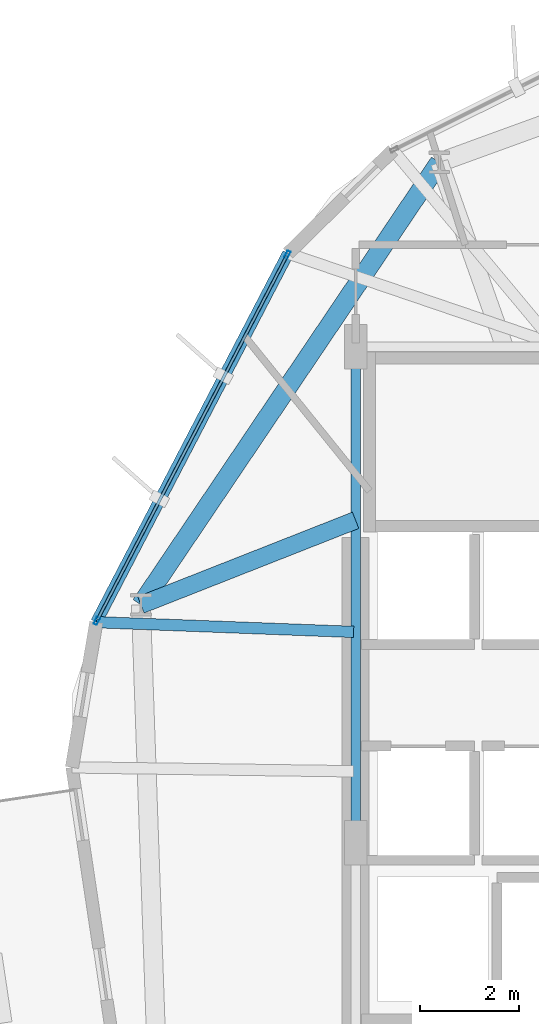
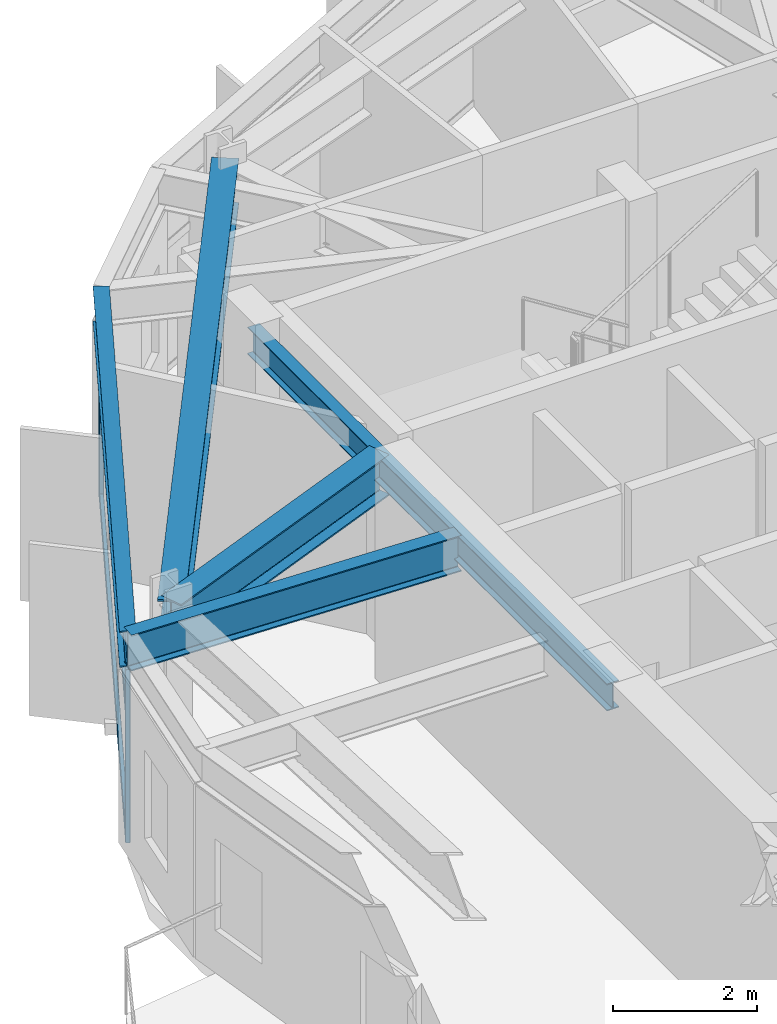
# One storey, part 7 of 22: 5 beams, 5 members, 1 element without a shape of its own.
"""IFC4 building model written with IfcOpenShell, lengths in metres."""

from ifc_helpers import new_model, si_unit, direction, frame, origin, origin_2d, place, context, subcontext, project, spatial, hollow_rectangle, i_section, extrude, material, layer, layer_set, material_profile, profile_set, type_object, element, aggregate, save


model = new_model("IFC4")

# Units and contexts
model_context = context("Model", 3, precision=1e-05, world=origin(), true_north=direction((0.0, 1.0)))
body_context = subcontext(model_context, "Body", "Model", "MODEL_VIEW")
ifc_project = project(units=[si_unit("LENGTHUNIT", "METRE"), si_unit("AREAUNIT", "SQUARE_METRE"), si_unit("VOLUMEUNIT", "CUBIC_METRE"), si_unit("PLANEANGLEUNIT", "RADIAN"), si_unit("MASSUNIT", "GRAM", prefix="KILO")], contexts=[model_context])

# Site, building, storey
site_placement = place(None, origin())
site = spatial("IfcSite", under=ifc_project, at=site_placement, CompositionType="ELEMENT")
building_placement = place(site_placement, origin())
building = spatial("IfcBuilding", under=site, at=building_placement, Name="Soratama Intermodal Tower", CompositionType="ELEMENT")
storey_placement = place(building_placement, frame((0.0, 0.0, 130.300048828125)))
storey = spatial("IfcBuildingStorey", under=building, at=storey_placement, Name="L31", CompositionType="ELEMENT", Elevation=130.300048828125)

# Beams
ifc_material_1 = material(Name="Structural steel ASTM A992 Grade 50", Category="steel")
ifc_material_profile_1 = material_profile(ifc_material_1, i_section(OverallWidth=0.19091796875, OverallDepth=0.4599609375, WebThickness=0.010009765625, FlangeThickness=0.01611328125, FilletRadius=0.010986328125, at=origin_2d()), Name="W18X55")
ifc_profile_set_1 = profile_set([ifc_material_profile_1], Name="Structural steel ASTM A992 Grade 50")
beam_type_1 = type_object("IfcBeamType", Name="BM-FLR-W18X55", PredefinedType="BEAM", material=ifc_profile_set_1)
beam_1_placement = place(storey_placement, frame((32.60009765625, 35.0, 3.329833984375), z_axis=(0.0, -1.0, 0.0), x_axis=(1.0, 0.0, 0.0)))
element("IfcBeam", 1, at=beam_1_placement, inside=storey, type_object=beam_type_1, Name="BM-L31-CRING-08", PredefinedType="BEAM", context=body_context, shape_type="SweptSolid", body=[
    extrude(i_section(OverallWidth=0.19091796875, OverallDepth=0.4599609375, WebThickness=0.010009765625, FlangeThickness=0.01611328125, FilletRadius=0.010986328125, at=origin_2d()), origin(), (0.0, 0.0, 1.0), 10.0),
])
ifc_material_2 = material(Name="Structural steel ASTM A992 Grade 50", Category="steel")
ifc_material_profile_2 = material_profile(ifc_material_2, i_section(OverallWidth=0.35498046875, OverallDepth=0.695068359375, WebThickness=0.015380859375, FlangeThickness=0.02490234375, FilletRadius=0.01611328125, at=origin_2d()), Name="W27X146")
ifc_profile_set_2 = profile_set([ifc_material_profile_2], Name="Structural steel ASTM A992 Grade 50")
beam_type_2 = type_object("IfcBeamType", Name="BM-RING-W27X146", PredefinedType="BEAM", material=ifc_profile_set_2)
beam_2_placement = place(storey_placement, frame((32.60009765625, 31.5, 3.21240234375), z_axis=(-0.930419244357, -0.366496970971, 0.0), x_axis=(0.366496970971, -0.930419244357, 0.0)))
element("IfcBeam", 2, at=beam_2_placement, inside=storey, type_object=beam_type_2, Name="BM-L31-RAD-05", PredefinedType="BEAM", context=body_context, shape_type="SweptSolid", body=[
    extrude(i_section(OverallWidth=0.35498046875, OverallDepth=0.695068359375, WebThickness=0.015380859375, FlangeThickness=0.02490234375, FilletRadius=0.01611328125, at=origin_2d()), origin(), (0.0, 0.0, 1.0), 4.649658203125),
])
ifc_material_3 = material(Name="Structural steel ASTM A992 Grade 50", Category="steel")
ifc_material_profile_3 = material_profile(ifc_material_3, i_section(OverallWidth=0.382080078125, OverallDepth=0.779052734375, WebThickness=0.01806640625, FlangeThickness=0.030029296875, FilletRadius=0.01806640625, at=origin_2d()), Name="W30X191")
ifc_profile_set_3 = profile_set([ifc_material_profile_3], Name="Structural steel ASTM A992 Grade 50")
beam_type_3 = type_object("IfcBeamType", Name="BM-RING-W30X191", PredefinedType="BEAM", material=ifc_profile_set_3)
beam_3_placement = place(storey_placement, frame((34.2880859375, 38.7109375, 3.17041015625), z_axis=(-0.559249807749, -0.828999187293, 0.0), x_axis=(0.828999187293, -0.559249807749, 0.0)))
element("IfcBeam", 3, at=beam_3_placement, inside=storey, type_object=beam_type_3, Name="BM-L31-RING-04", PredefinedType="BEAM", context=body_context, shape_type="SweptSolid", body=[
    extrude(i_section(OverallWidth=0.382080078125, OverallDepth=0.779052734375, WebThickness=0.01806640625, FlangeThickness=0.030029296875, FilletRadius=0.01806640625, at=origin_2d()), origin(), (0.0, 0.0, 1.0), 10.75390625),
])
ifc_material_4 = material(Name="Structural steel ASTM A992 Grade 50", Category="steel")
ifc_material_profile_4 = material_profile(ifc_material_4, i_section(OverallWidth=0.22900390625, OverallDepth=0.612060546875, WebThickness=0.011962890625, FlangeThickness=0.01953125, FilletRadius=0.012939453125, at=origin_2d()), Name="W24X84")
ifc_profile_set_4 = profile_set([ifc_material_profile_4], Name="Structural steel ASTM A992 Grade 50")
beam_type_4 = type_object("IfcBeamType", Name="BM-SPN-W24X84", PredefinedType="SPANDREL", material=ifc_profile_set_4)
beam_4_placement = place(storey_placement, frame((31.239013671875, 36.8779296875, 3.25390625), z_axis=(-0.461439003173, -0.88717193731, 0.0), x_axis=(0.88717193731, -0.461439003173, 0.0)))
element("IfcBeam", 4, at=beam_4_placement, inside=storey, type_object=beam_type_4, Name="BS-L31-F04", PredefinedType="SPANDREL", context=body_context, shape_type="SweptSolid", body=[
    extrude(i_section(OverallWidth=0.22900390625, OverallDepth=0.612060546875, WebThickness=0.011962890625, FlangeThickness=0.01953125, FilletRadius=0.012939453125, at=origin_2d()), origin(), (0.0, 0.0, 1.0), 8.3759765625),
])
ifc_material_5 = material(Name="Structural steel ASTM A992 Grade 50", Category="steel")
ifc_material_profile_5 = material_profile(ifc_material_5, i_section(OverallWidth=0.22900390625, OverallDepth=0.612060546875, WebThickness=0.011962890625, FlangeThickness=0.01953125, FilletRadius=0.012939453125, at=origin_2d()), Name="W24X84")
ifc_profile_set_5 = profile_set([ifc_material_profile_5], Name="Structural steel ASTM A992 Grade 50")
beam_type_5 = type_object("IfcBeamType", Name="BM-TIE-W24X84", PredefinedType="BEAM", material=ifc_profile_set_5)
beam_5_placement = place(storey_placement, frame((32.56005859375, 29.2509765625, 3.25390625), z_axis=(-0.999286251634, 0.037775485362, 0.0), x_axis=(-0.037775485362, -0.999286251634, 0.0)))
element("IfcBeam", 5, at=beam_5_placement, inside=storey, type_object=beam_type_5, Name="BM-L31-TIE1-04", PredefinedType="BEAM", context=body_context, shape_type="SweptSolid", body=[
    extrude(i_section(OverallWidth=0.22900390625, OverallDepth=0.612060546875, WebThickness=0.011962890625, FlangeThickness=0.01953125, FilletRadius=0.012939453125, at=origin_2d()), origin(), (0.0, 0.0, 1.0), 5.189697265625),
])

# Curtain wall, members
ifc_material_6 = material(Name="Double-glazed aluminium curtain wall", Category="aluminium")
ifc_layer = layer(ifc_material_6, 0.159912109375)
ifc_layer_set = layer_set([ifc_layer], Name="Double-glazed aluminium curtain wall")
curtain_wall_type = type_object("IfcCurtainWallType", Name="CW-SYS-3", PredefinedType="NOTDEFINED", material=ifc_layer_set)
curtain_wall_placement = place(storey_placement, origin())
curtain_wall = element("IfcCurtainWall", 6, at=curtain_wall_placement, inside=storey, type_object=curtain_wall_type, Name="L31 Faceted Curtain Wall F04", PredefinedType="NOTDEFINED")
ifc_material_7 = material(Name="Anodised aluminium AA 6063-T6", Category="aluminium")
ifc_material_profile_6 = material_profile(ifc_material_7, hollow_rectangle(XDim=0.070068359375, YDim=0.159912109375, WallThickness=0.0048828125, InnerFilletRadius=0.0048828125, OuterFilletRadius=0.010009765625, at=origin_2d()), Name="CWM160X70X5")
ifc_profile_set_6 = profile_set([ifc_material_profile_6], Name="Anodised aluminium AA 6063-T6")
member_type_1 = type_object("IfcMemberType", Name="MT-CWM-3", PredefinedType="MULLION", material=ifc_profile_set_6)
member_1_placement = place(storey_placement, frame((31.224853515625, 36.851806640625, 0.0), z_axis=(0.0, 0.0, 1.0), x_axis=(0.887173990215, -0.461435056194, 0.0)))
member_1 = element("IfcMember", 7, at=member_1_placement, type_object=member_type_1, Name="CW-3 mullion 1", PredefinedType="MULLION", context=body_context, shape_type="SweptSolid", body=[
    extrude(hollow_rectangle(XDim=0.070068359375, YDim=0.159912109375, WallThickness=0.0048828125, InnerFilletRadius=0.0048828125, OuterFilletRadius=0.010009765625, at=origin_2d()), origin(), (0.0, 0.0, 1.0), 2.93896484375),
])
member_2_placement = place(storey_placement, frame((27.387451171875, 29.4736328125, 0.0), z_axis=(0.0, 0.0, 1.0), x_axis=(0.887173990215, -0.461435056194, 0.0)))
member_2 = element("IfcMember", 8, at=member_2_placement, type_object=member_type_1, Name="CW-3 mullion 2", PredefinedType="MULLION", context=body_context, shape_type="SweptSolid", body=[
    extrude(hollow_rectangle(XDim=0.070068359375, YDim=0.159912109375, WallThickness=0.0048828125, InnerFilletRadius=0.0048828125, OuterFilletRadius=0.010009765625, at=origin_2d()), origin(), (0.0, 0.0, 1.0), 2.93896484375),
])
ifc_material_8 = material(Name="Anodised aluminium AA 6063-T6", Category="aluminium")
ifc_material_profile_7 = material_profile(ifc_material_8, hollow_rectangle(XDim=0.06494140625, YDim=0.14990234375, WallThickness=0.0048828125, InnerFilletRadius=0.0048828125, OuterFilletRadius=0.010009765625, at=origin_2d()), Name="CWT150X65X5")
ifc_profile_set_7 = profile_set([ifc_material_profile_7], Name="Anodised aluminium AA 6063-T6")
member_type_2 = type_object("IfcMemberType", Name="TT-CWT-1", PredefinedType="USERDEFINED", material=ifc_profile_set_7)
member_3_placement = place(storey_placement, frame((31.211181640625, 36.824951171875, 0.030029296875), z_axis=(-0.461444908651, -0.887168865707, 0.0), x_axis=(0.887168865707, -0.461444908651, 0.0)))
member_3 = element("IfcMember", 9, at=member_3_placement, type_object=member_type_2, Name="CW-3 transom 1.1", ObjectType="TRANSOM", PredefinedType="USERDEFINED", context=body_context, shape_type="SweptSolid", body=[
    extrude(hollow_rectangle(XDim=0.06494140625, YDim=0.14990234375, WallThickness=0.0048828125, InnerFilletRadius=0.0048828125, OuterFilletRadius=0.010009765625, at=origin_2d()), origin(), (0.0, 0.0, 1.0), 8.25634765625),
])
member_4_placement = place(storey_placement, frame((31.211181640625, 36.824951171875, 2.14990234375), z_axis=(-0.461444908651, -0.887168865707, 0.0), x_axis=(0.887168865707, -0.461444908651, 0.0)))
member_4 = element("IfcMember", 10, at=member_4_placement, type_object=member_type_2, Name="CW-3 transom 1.2", ObjectType="TRANSOM", PredefinedType="USERDEFINED", context=body_context, shape_type="SweptSolid", body=[
    extrude(hollow_rectangle(XDim=0.06494140625, YDim=0.14990234375, WallThickness=0.0048828125, InnerFilletRadius=0.0048828125, OuterFilletRadius=0.010009765625, at=origin_2d()), origin(), (0.0, 0.0, 1.0), 8.25634765625),
])
member_5_placement = place(storey_placement, frame((31.211181640625, 36.824951171875, 2.908935546875), z_axis=(-0.461444908651, -0.887168865707, 0.0), x_axis=(0.887168865707, -0.461444908651, 0.0)))
member_5 = element("IfcMember", 11, at=member_5_placement, type_object=member_type_2, Name="CW-3 transom 1.3", ObjectType="TRANSOM", PredefinedType="USERDEFINED", context=body_context, shape_type="SweptSolid", body=[
    extrude(hollow_rectangle(XDim=0.06494140625, YDim=0.14990234375, WallThickness=0.0048828125, InnerFilletRadius=0.0048828125, OuterFilletRadius=0.010009765625, at=origin_2d()), origin(), (0.0, 0.0, 1.0), 8.25634765625),
])
aggregate(curtain_wall, [member_1, member_2, member_3, member_4, member_5])

save(model, "model.ifc")
